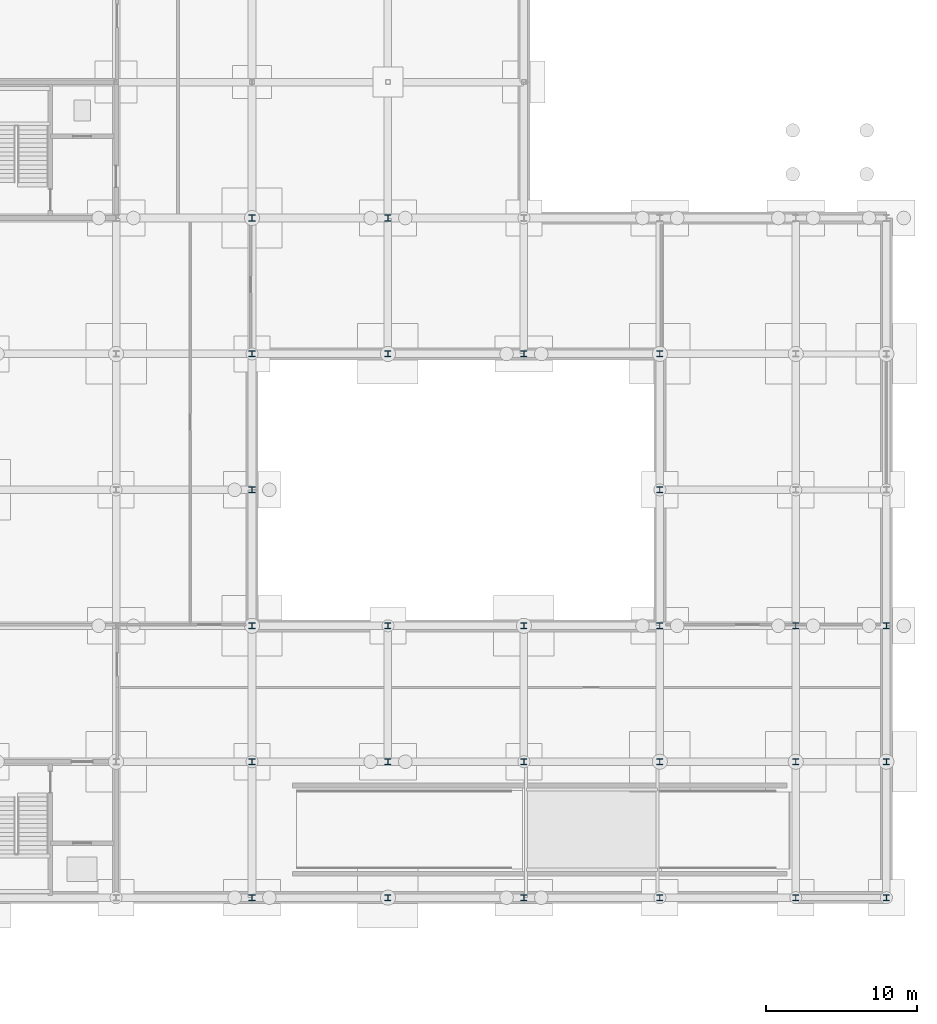
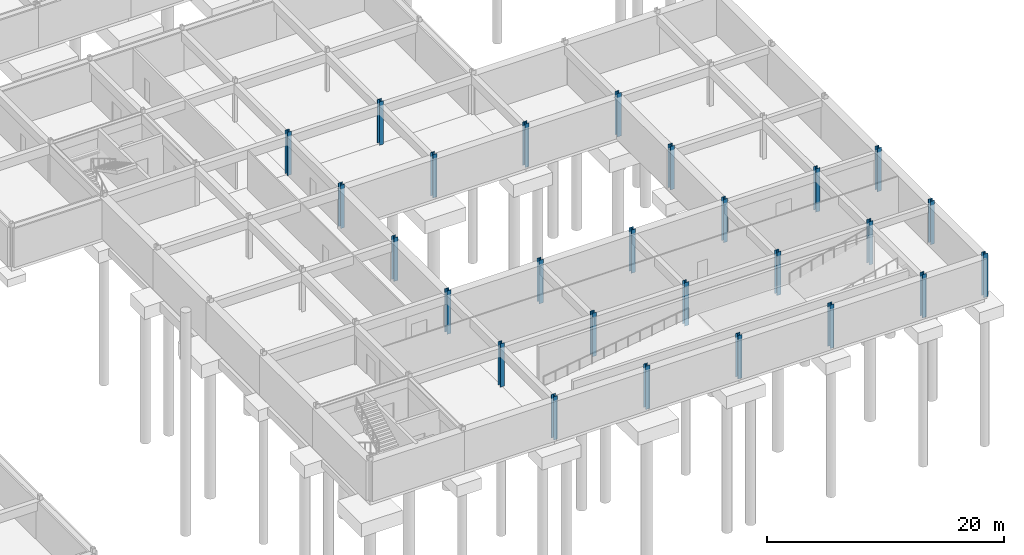
# One storey, part 15 of 41: 26 columns.
"""IFC4 building model written with IfcOpenShell, lengths in metres."""

from ifc_helpers import new_model, si_unit, direction, frame, origin, origin_2d, place, context, subcontext, project, spatial, i_section, extrude, material, material_profile, profile_set, type_object, element, save


model = new_model("IFC4")

# Units and contexts
model_context = context("Model", 3, precision=1e-05, world=origin(), true_north=direction((0.0, 1.0)))
body_context = subcontext(model_context, "Body", "Model", "MODEL_VIEW")
ifc_project = project(units=[si_unit("LENGTHUNIT", "METRE"), si_unit("AREAUNIT", "SQUARE_METRE"), si_unit("VOLUMEUNIT", "CUBIC_METRE"), si_unit("PLANEANGLEUNIT", "RADIAN"), si_unit("MASSUNIT", "GRAM", prefix="KILO")], contexts=[model_context])

# Site, building, storey
site_placement = place(None, origin())
site = spatial("IfcSite", under=ifc_project, at=site_placement, CompositionType="ELEMENT")
building_placement = place(site_placement, origin())
building = spatial("IfcBuilding", under=site, at=building_placement, Name="Palais des Congres Ocreval", CompositionType="ELEMENT")
storey_placement = place(building_placement, frame((0.0, 0.0, -8.9599609375)))
storey = spatial("IfcBuildingStorey", under=building, at=storey_placement, Name="B2", CompositionType="ELEMENT", Elevation=-8.9599609375)

# Columns
ifc_material = material(Name="Steel S355", Category="steel")
ifc_material_profile = material_profile(ifc_material, i_section(OverallWidth=0.40087890625, OverallDepth=0.39892578125, WebThickness=0.0185546875, FlangeThickness=0.030029296875, at=origin_2d()), Name="HD 400x314")
ifc_profile_set = profile_set([ifc_material_profile], Name="Steel S355")
column_type = type_object("IfcColumnType", Name="Column HD 400x314 Steel S355", PredefinedType="COLUMN", material=ifc_profile_set)
for number, where, z_axis, x_axis, name in (
    (1, (126.0, 0.0, 0.0), (0.0, 0.0, 1.0), (1.0, 0.0, 0.0), "Column C04 B2"),
    (2, (126.0, 9.0, 0.0), (0.0, 0.0, 1.0), (1.0, 0.0, 0.0), "Column C04 B2"),
    (3, (126.0, 18.0, 0.0), (0.0, 0.0, 1.0), (1.0, 0.0, 0.0), "Column C04 B2"),
    (4, (126.0, 27.0, 0.0), (0.0, 0.0, 1.0), (1.0, 0.0, 0.0), "Column C04 B2"),
    (5, (126.0, 36.0, 0.0), (0.0, 0.0, 1.0), (1.0, 0.0, 0.0), "Column C04 B2"),
    (6, (126.0, 45.0, 0.0), (0.0, 0.0, 1.0), (1.0, 0.0, 0.0), "Column C04 B2"),
    (7, (135.0, 0.0, 0.0), (0.0, 0.0, 1.0), (1.0, 0.0, 0.0), "Column C04 B2"),
    (8, (135.0, 9.0, 0.0), (0.0, 0.0, 1.0), (1.0, 0.0, 0.0), "Column C04 B2"),
    (9, (135.0, 18.0, 0.0), (0.0, 0.0, 1.0), (1.0, 0.0, 0.0), "Column C04 B2"),
    (10, (135.0, 36.0, 0.0), (0.0, 0.0, 1.0), (1.0, 0.0, 0.0), "Column C04 B2"),
    (11, (135.0, 45.0, 0.0), (0.0, 0.0, 1.0), (1.0, 0.0, 0.0), "Column C04 B2"),
    (12, (144.0, 0.0, 0.0), (0.0, 0.0, 1.0), (1.0, 0.0, 0.0), "Column C04 B2"),
    (13, (144.0, 9.0, 0.0), (0.0, 0.0, 1.0), (1.0, 0.0, 0.0), "Column C04 B2"),
    (14, (144.0, 18.0, 0.0), (0.0, 0.0, 1.0), (1.0, 0.0, 0.0), "Column C04 B2"),
    (15, (144.0, 36.0, 0.0), (0.0, 0.0, 1.0), (1.0, 0.0, 0.0), "Column C04 B2"),
    (16, (153.0, 0.0, 0.0), (0.0, 0.0, 1.0), (1.0, 0.0, 0.0), "Column C04 B2"),
    (17, (153.0, 9.0, 0.0), (0.0, 0.0, 1.0), (1.0, 0.0, 0.0), "Column C04 B2"),
    (18, (153.0, 18.0, 0.0), (0.0, 0.0, 1.0), (1.0, 0.0, 0.0), "Column C04 B2"),
    (19, (153.0, 27.0, 0.0), (0.0, 0.0, 1.0), (1.0, 0.0, 0.0), "Column C04 B2"),
    (20, (153.0, 36.0, 0.0), (0.0, 0.0, 1.0), (1.0, 0.0, 0.0), "Column C04 B2"),
    (21, (162.0, 0.0, 0.0), (0.0, 0.0, 1.0), (1.0, 0.0, 0.0), "Column C04 B2"),
    (22, (162.0, 9.0, 0.0), (0.0, 0.0, 1.0), (1.0, 0.0, 0.0), "Column C04 B2"),
    (23, (162.0, 18.0, 0.0), (0.0, 0.0, 1.0), (1.0, 0.0, 0.0), "Column C04 B2"),
    (24, (168.0, 0.0, 0.0), (0.0, 0.0, 1.0), (1.0, 0.0, 0.0), "Column C04 B2"),
    (25, (168.0, 9.0, 0.0), (0.0, 0.0, 1.0), (1.0, 0.0, 0.0), "Column C04 B2"),
    (26, (168.0, 18.0, 0.0), (0.0, 0.0, 1.0), (1.0, 0.0, 0.0), "Column C04 B2"),
):
    element("IfcColumn", number, at=place(storey_placement, frame(where, z_axis=z_axis, x_axis=x_axis)), inside=storey, type_object=column_type, Name=name, PredefinedType="COLUMN", context=body_context, shape_type="SweptSolid", body=[
        extrude(i_section(OverallWidth=0.40087890625, OverallDepth=0.39892578125, WebThickness=0.0185546875, FlangeThickness=0.030029296875, at=origin_2d()), origin(), (0.0, 0.0, 1.0), 4.47998046875),
    ])

save(model, "model.ifc")
